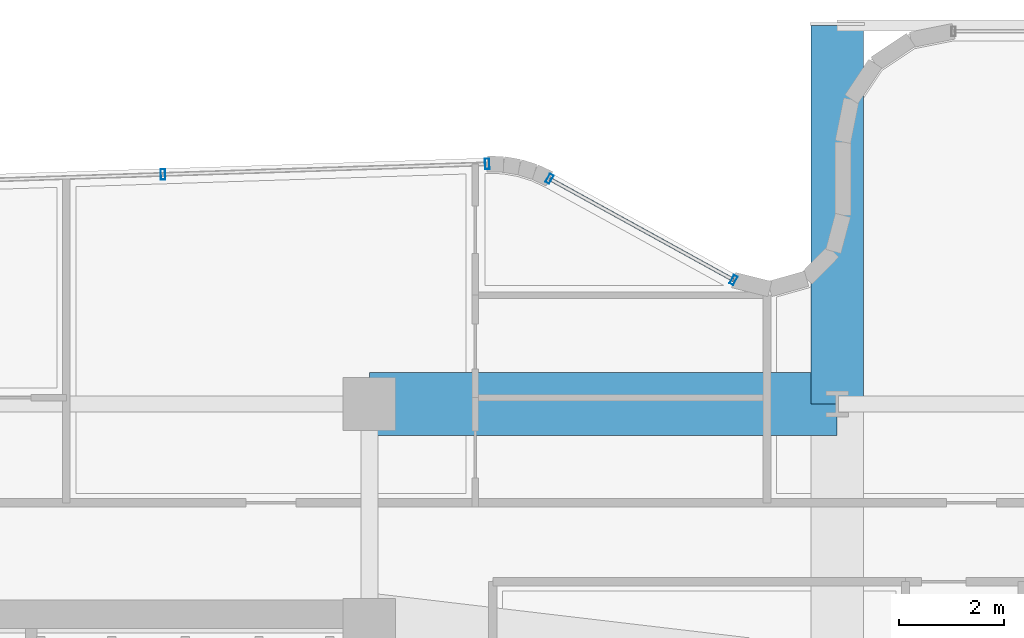
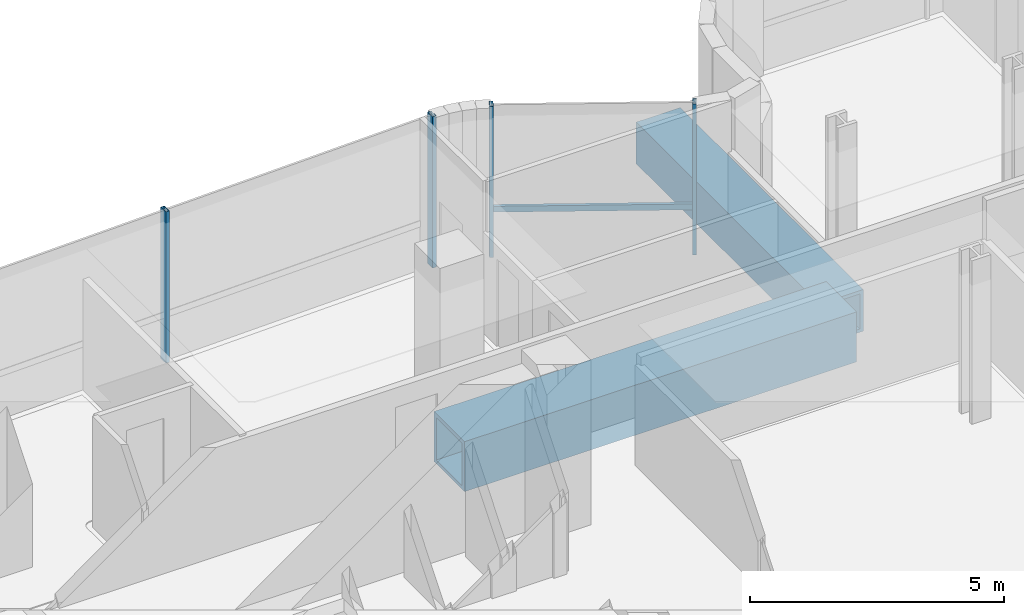
# One storey, part 21 of 39: 5 members, 2 beams, 2 elements without a shape of their own.
"""IFC4 building model written with IfcOpenShell, lengths in metres."""

from ifc_helpers import new_model, si_unit, direction, frame, origin, origin_2d, place, context, subcontext, project, spatial, hollow_rectangle, extrude, source, transform, mapped, material, material_profile, profile_set, type_object, element, aggregate, save


model = new_model("IFC4")

# Units and contexts
model_context = context("Model", 3, precision=1e-05, world=origin(), true_north=direction((0.0, 1.0)))
body_context = subcontext(model_context, "Body", "Model", "MODEL_VIEW")
ifc_project = project(units=[si_unit("LENGTHUNIT", "METRE"), si_unit("AREAUNIT", "SQUARE_METRE"), si_unit("VOLUMEUNIT", "CUBIC_METRE"), si_unit("PLANEANGLEUNIT", "RADIAN"), si_unit("MASSUNIT", "GRAM", prefix="KILO")], contexts=[model_context])

# Site, building, storey
site_placement = place(None, origin())
site = spatial("IfcSite", under=ifc_project, at=site_placement, CompositionType="ELEMENT")
building_placement = place(site_placement, origin())
building = spatial("IfcBuilding", under=site, at=building_placement, Name="Valdorenza Pilgrim Sanctuary Tower", CompositionType="ELEMENT")
storey_placement = place(building_placement, frame((0.0, 0.0, 184.449951171875)))
storey = spatial("IfcBuildingStorey", under=building, at=storey_placement, Name="L47", CompositionType="ELEMENT", Elevation=184.449951171875)

# Beams
ifc_material_1 = material(Name="Steel ASTM A572 Grade 42", Category="steel")
ifc_material_profile_1 = material_profile(ifc_material_1, hollow_rectangle(XDim=1.199951171875, YDim=1.199951171875, WallThickness=0.090087890625, at=origin_2d()), Name="BOX 1200x1200x90")
ifc_profile_set_1 = profile_set([ifc_material_profile_1], Name="Steel ASTM A572 Grade 42")
beam_type_1 = type_object("IfcBeamType", Name="STR-BM-TRF-1200", PredefinedType="BEAM", material=ifc_profile_set_1)
shared_shape_1 = source(origin(), body_context, "Body", "SweptSolid", [
    extrude(hollow_rectangle(XDim=1.199951171875, YDim=1.199951171875, WallThickness=0.090087890625, at=origin_2d()), origin(), (0.0, 0.0, 1.0), 8.89990234375),
])
beam_1_placement = place(storey_placement, frame((-12.39990234375, 14.800048828125, -0.919921875), z_axis=(1.0, 0.0, 0.0), x_axis=(0.0, 1.0, 0.0)))
element("IfcBeam", 1, at=beam_1_placement, inside=storey, type_object=beam_type_1, Name="L47 Portal Bridge Transfer Girder PRY-G1-P14", PredefinedType="BEAM", context=body_context, shape_type="MappedRepresentation", body=[
    mapped(shared_shape_1, transform((0.0, 0.0, 0.0), x_axis=(1.0, 0.0, 0.0), y_axis=(0.0, 1.0, 0.0), z_axis=(0.0, 0.0, 1.0), scale=1.0)),
])
ifc_material_profile_2 = material_profile(ifc_material_1, hollow_rectangle(XDim=1.0, YDim=1.0, WallThickness=0.080078125, at=origin_2d()), Name="BOX 1000x1000x80")
ifc_profile_set_2 = profile_set([ifc_material_profile_2], Name="Steel ASTM A572 Grade 42")
beam_type_2 = type_object("IfcBeamType", Name="STR-BM-PROW-CANT", PredefinedType="BEAM", material=ifc_profile_set_2)
shared_shape_2 = source(origin(), body_context, "Body", "SweptSolid", [
    extrude(hollow_rectangle(XDim=1.0, YDim=1.0, WallThickness=0.080078125, at=origin_2d()), origin(), (0.0, 0.0, 1.0), 7.199951171875),
])
beam_2_placement = place(storey_placement, frame((-3.5, 14.800048828125, -0.820068359375), z_axis=(0.0, 1.0, 0.0), x_axis=(-1.0, 0.0, 0.0)))
element("IfcBeam", 2, at=beam_2_placement, inside=storey, type_object=beam_type_2, Name="L47 North Sanctuary Prow Cantilever PROW-CANT-N-W", PredefinedType="BEAM", context=body_context, shape_type="MappedRepresentation", body=[
    mapped(shared_shape_2, transform((0.0, 0.0, 0.0), x_axis=(1.0, 0.0, 0.0), y_axis=(0.0, 1.0, 0.0), z_axis=(0.0, 0.0, 1.0), scale=1.0)),
])

# Curtain wall, member
ifc_material_2 = material(Name="Curtain-wall IGU glazing", Category="glass")
curtain_wall_type_1 = type_object("IfcCurtainWallType", Name="CW-SYS-05", PredefinedType="NOTDEFINED", material=ifc_material_2)
curtain_wall_1_placement = place(storey_placement, origin())
curtain_wall_1 = element("IfcCurtainWall", 3, at=curtain_wall_1_placement, inside=storey, type_object=curtain_wall_type_1, Name="L47 Curtain Wall CW-L47-1-11", PredefinedType="NOTDEFINED")
ifc_material_3 = material(Name="Anodised aluminium AW-6060", Category="aluminium")
ifc_material_profile_3 = material_profile(ifc_material_3, hollow_rectangle(XDim=0.070068359375, YDim=0.139892578125, WallThickness=0.00341796875, at=origin_2d()), Name="ALU-T 140x70x3.5")
ifc_profile_set_3 = profile_set([ifc_material_profile_3], Name="Anodised aluminium AW-6060")
member_type_1 = type_object("IfcMemberType", Name="CW-TRN-05", PredefinedType="USERDEFINED", material=ifc_profile_set_3)
shared_shape_3 = source(origin(), body_context, "Body", "SweptSolid", [
    extrude(hollow_rectangle(XDim=0.070068359375, YDim=0.139892578125, WallThickness=0.00341796875, at=origin_2d()), origin(), (0.0, 0.0, 1.0), 3.99609375),
])
member_1_placement = place(storey_placement, frame((-8.972900390625, 19.084716796875, 1.1201171875), z_axis=(0.876178497897, -0.48198676312, 0.0), x_axis=(0.48198676312, 0.876178497897, 0.0)))
member_1 = element("IfcMember", 4, at=member_1_placement, type_object=member_type_1, Name="CW-L47-1-11 Transom 1", ObjectType="TRANSOM", PredefinedType="USERDEFINED", context=body_context, shape_type="MappedRepresentation", body=[
    mapped(shared_shape_3, transform((0.0, 0.0, 0.0), x_axis=(1.0, 0.0, 0.0), y_axis=(0.0, 1.0, 0.0), z_axis=(0.0, 0.0, 1.0), scale=1.0)),
])

# Curtain wall, members
curtain_wall_type_2 = type_object("IfcCurtainWallType", Name="CW-SYS-02", PredefinedType="NOTDEFINED", material=ifc_material_2)
curtain_wall_2_placement = place(storey_placement, origin())
curtain_wall_2 = element("IfcCurtainWall", 5, at=curtain_wall_2_placement, inside=storey, type_object=curtain_wall_type_2, Name="L47 Curtain Wall CW-L47-1-6", PredefinedType="NOTDEFINED")
ifc_material_profile_4 = material_profile(ifc_material_3, hollow_rectangle(XDim=0.0849609375, YDim=0.199951171875, WallThickness=0.0048828125, at=origin_2d()), Name="ALU-M 200x85x5")
ifc_profile_set_4 = profile_set([ifc_material_profile_4], Name="Anodised aluminium AW-6060")
member_type_2 = type_object("IfcMemberType", Name="CW-MUL-02", PredefinedType="MULLION", material=ifc_profile_set_4)
shared_shape_4 = source(origin(), body_context, "Body", "SweptSolid", [
    extrude(hollow_rectangle(XDim=0.0849609375, YDim=0.199951171875, WallThickness=0.0048828125, at=origin_2d()), origin(), (0.0, 0.0, 1.0), 3.630126953125),
])
member_2_placement = place(storey_placement, frame((-16.32666015625, 19.167724609375, 0.0), z_axis=(0.0, 0.0, 1.0), x_axis=(0.999470282811, 0.032544642846, 0.0)))
member_2 = element("IfcMember", 6, at=member_2_placement, type_object=member_type_2, Name="CW-L47-1-6 Mullion 3", PredefinedType="MULLION", context=body_context, shape_type="MappedRepresentation", body=[
    mapped(shared_shape_4, transform((0.0, 0.0, 0.0), x_axis=(1.0, 0.0, 0.0), y_axis=(0.0, 1.0, 0.0), z_axis=(0.0, 0.0, 1.0), scale=1.0)),
])
member_3_placement = place(storey_placement, frame((-10.157958984375, 19.368408203125, 0.0), z_axis=(0.0, 0.0, 1.0), x_axis=(0.999470282811, 0.032544642846, 0.0)))
member_3 = element("IfcMember", 7, at=member_3_placement, type_object=member_type_2, Name="CW-L47-1-6 Mullion 4", PredefinedType="MULLION", context=body_context, shape_type="MappedRepresentation", body=[
    mapped(shared_shape_4, transform((0.0, 0.0, 0.0), x_axis=(1.0, 0.0, 0.0), y_axis=(0.0, 1.0, 0.0), z_axis=(0.0, 0.0, 1.0), scale=1.0)),
])
aggregate(curtain_wall_2, [member_2, member_3])

# Member
ifc_material_profile_5 = material_profile(ifc_material_3, hollow_rectangle(XDim=0.080078125, YDim=0.179931640625, WallThickness=0.00439453125, at=origin_2d()), Name="ALU-M 180x80x4.5")
ifc_profile_set_5 = profile_set([ifc_material_profile_5], Name="Anodised aluminium AW-6060")
member_type_3 = type_object("IfcMemberType", Name="CW-MUL-05", PredefinedType="MULLION", material=ifc_profile_set_5)
shared_shape_5 = source(origin(), body_context, "Body", "SweptSolid", [
    extrude(hollow_rectangle(XDim=0.080078125, YDim=0.179931640625, WallThickness=0.00439453125, at=origin_2d()), origin(), (0.0, 0.0, 1.0), 3.630126953125),
])
member_4_placement = place(storey_placement, frame((-8.972900390625, 19.084716796875, 0.0), z_axis=(0.0, 0.0, 1.0), x_axis=(0.876214173829, -0.481921904027, 0.0)))
member_4 = element("IfcMember", 8, at=member_4_placement, type_object=member_type_3, Name="CW-L47-1-11 Mullion 1", PredefinedType="MULLION", context=body_context, shape_type="MappedRepresentation", body=[
    mapped(shared_shape_5, transform((0.0, 0.0, 0.0), x_axis=(1.0, 0.0, 0.0), y_axis=(0.0, 1.0, 0.0), z_axis=(0.0, 0.0, 1.0), scale=1.0)),
])

member_5_placement = place(storey_placement, frame((-5.4716796875, 17.15869140625, 0.0), z_axis=(0.0, 0.0, 1.0), x_axis=(0.876214173829, -0.481921904027, 0.0)))
member_5 = element("IfcMember", 9, at=member_5_placement, type_object=member_type_3, Name="CW-L47-1-11 Mullion 2", PredefinedType="MULLION", context=body_context, shape_type="MappedRepresentation", body=[
    mapped(shared_shape_5, transform((0.0, 0.0, 0.0), x_axis=(1.0, 0.0, 0.0), y_axis=(0.0, 1.0, 0.0), z_axis=(0.0, 0.0, 1.0), scale=1.0)),
])

aggregate(curtain_wall_1, [member_4, member_5, member_1])

save(model, "model.ifc")
